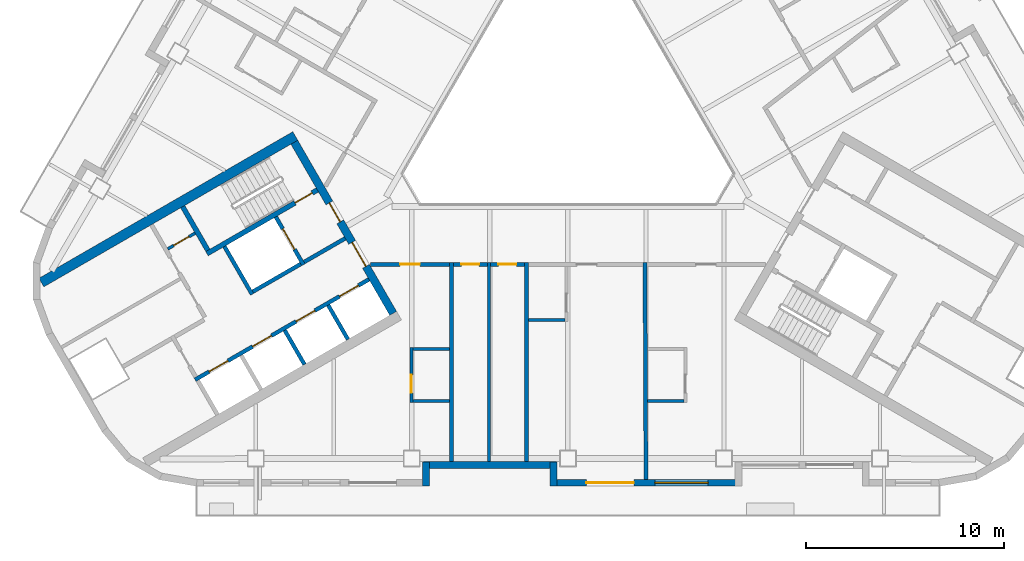
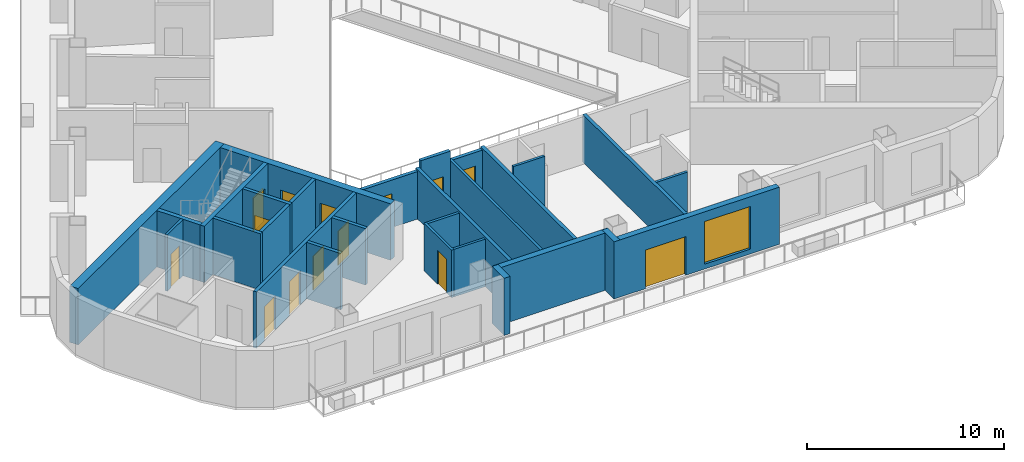
# One storey, part 3 of 14: 28 walls, 14 doors, 1 window, 15 openings.
"""IFC4 building model written with IfcOpenShell, lengths in metres."""

from ifc_helpers import new_model, si_unit, direction, frame, frame_2d, origin, place, context, subcontext, project, spatial, rectangle, extrude, material, layer, layer_set, type_object, element, fill, save


model = new_model("IFC4")

# Units and contexts
model_context = context("Model", 3, precision=1e-05, world=origin(), true_north=direction((0.0, 1.0)))
body_context = subcontext(model_context, "Body", "Model", "MODEL_VIEW")
ifc_project = project(units=[si_unit("LENGTHUNIT", "METRE"), si_unit("AREAUNIT", "SQUARE_METRE"), si_unit("VOLUMEUNIT", "CUBIC_METRE"), si_unit("PLANEANGLEUNIT", "RADIAN"), si_unit("MASSUNIT", "GRAM", prefix="KILO")], contexts=[model_context])

# Site, building, storey
site_placement = place(None, origin())
site = spatial("IfcSite", under=ifc_project, at=site_placement, CompositionType="ELEMENT")
building_placement = place(site_placement, origin())
building = spatial("IfcBuilding", under=site, at=building_placement, Name="Apuvela Tower Hotel", CompositionType="ELEMENT")
storey_placement = place(building_placement, frame((0.0, 0.0, 179.89990234375)))
storey = spatial("IfcBuildingStorey", under=building, at=storey_placement, Name="L43", CompositionType="ELEMENT", Elevation=179.89990234375)

# Wall, openings, doors
ifc_material_1 = material(Name="Concrete C50/60", Category="concrete")
ifc_layer_1 = layer(ifc_material_1, 0.39990234375)
ifc_layer_set_1 = layer_set([ifc_layer_1], Name="COR-WALL-CORE-400")
wall_type_1 = type_object("IfcWallType", Name="COR-WALL-CORE-400", PredefinedType="SHEAR", material=ifc_layer_set_1)
wall_1_placement = place(storey_placement, frame((-13.844970703125, -2.219970703125, 0.0), z_axis=(0.0, 0.0, 1.0), x_axis=(0.500004234368, -0.866022959057, 0.0)))
wall_1 = element("IfcWall", 1, at=wall_1_placement, inside=storey, type_object=wall_type_1, Name="Core wall SW", PredefinedType="SHEAR", context=body_context, shape_type="SweptSolid", body=[
    extrude(rectangle(XDim=10.0, YDim=0.39990234375, at=frame_2d((5.0, 0.0))), origin(), (0.0, 0.0, 1.0), 3.5),
])
opening_1_placement = place(wall_1_placement, frame((3.550048828125, 0.0, 0.0)))
opening_1 = element("IfcOpeningElement", 2, at=opening_1_placement, cuts=wall_1, Name="Opening W-FD", PredefinedType="OPENING", context=body_context, shape_type="SweptSolid", body=[
    extrude(rectangle(XDim=1.10009765625, YDim=2.10009765625, at=frame_2d((0.550048828125, 1.050048828125))), frame((0.0, 0.2099609375, 0.0), z_axis=(0.0, -1.0, 0.0), x_axis=(1.0, 0.0, 0.0)), (0.0, 0.0, 1.0), 0.419921875),
])
opening_2_placement = place(wall_1_placement, frame((5.85009765625, 0.0, 0.0)))
opening_2 = element("IfcOpeningElement", 3, at=opening_2_placement, cuts=wall_1, Name="Opening W-GD", PredefinedType="OPENING", context=body_context, shape_type="SweptSolid", body=[
    extrude(rectangle(XDim=1.39990234375, YDim=2.10009765625, at=frame_2d((0.699951171875, 1.050048828125))), frame((0.0, 0.2099609375, 0.0), z_axis=(0.0, -1.0, 0.0), x_axis=(1.0, 0.0, 0.0)), (0.0, 0.0, 1.0), 0.419921875),
])
ifc_material_2 = material(Name="Steel fire door, powder coated", Category="steel")
door_type_1 = type_object("IfcDoorType", Name="COR-FD-1100", OperationType="NOTDEFINED", PredefinedType="DOOR", material=ifc_material_2)
door_1_placement = place(opening_1_placement, frame((1.10009765625, 0.0, 0.0), z_axis=(0.0, 0.0, 1.0), x_axis=(-1.0, 0.0, 0.0)))
door_1 = element("IfcDoor", 4, at=door_1_placement, inside=storey, type_object=door_type_1, Name="Firefighting lobby door W-FD", OperationType="SINGLE_SWING_LEFT", OverallHeight=2.10009765625, OverallWidth=1.10009765625, PredefinedType="DOOR", context=body_context, shape_type="SweptSolid", body=[
    extrude(rectangle(XDim=1.10009765625, YDim=2.10009765625, at=frame_2d((0.550048828125, 1.050048828125))), frame((0.0, 0.02490234375, 0.0), z_axis=(0.0, -1.0, 0.0), x_axis=(1.0, 0.0, 0.0)), (0.0, 0.0, 1.0), 0.050048828125),
])
fill(opening_1, door_1)
ifc_material_3 = material(Name="Glazed steel fire door", Category="steel")
door_type_2 = type_object("IfcDoorType", Name="COR-GD-1400", OperationType="DOUBLE_DOOR_SINGLE_SWING", PredefinedType="DOOR", material=ifc_material_3)
door_2_placement = place(opening_2_placement, frame((1.39990234375, 0.0, 0.0), z_axis=(0.0, 0.0, 1.0), x_axis=(-1.0, 0.0, 0.0)))
door_2 = element("IfcDoor", 5, at=door_2_placement, inside=storey, type_object=door_type_2, Name="Lift lobby door W-GD", OperationType="DOUBLE_DOOR_SINGLE_SWING", OverallHeight=2.10009765625, OverallWidth=1.39990234375, PredefinedType="DOOR", context=body_context, shape_type="SweptSolid", body=[
    extrude(rectangle(XDim=1.39990234375, YDim=2.10009765625, at=frame_2d((0.699951171875, 1.050048828125))), frame((0.0, 0.02490234375, 0.0), z_axis=(0.0, -1.0, 0.0), x_axis=(1.0, 0.0, 0.0)), (0.0, 0.0, 1.0), 0.050048828125),
])
fill(opening_2, door_2)

# Wall
ifc_layer_2 = layer(ifc_material_1, 0.5)
ifc_layer_set_2 = layer_set([ifc_layer_2], Name="COR-WALL-CORE-500")
wall_type_2 = type_object("IfcWallType", Name="COR-WALL-CORE-500", PredefinedType="SHEAR", material=ifc_layer_set_2)
wall_2_placement = place(storey_placement, frame((-13.796630859375, -1.9033203125, 0.0), z_axis=(0.0, 0.0, 1.0), x_axis=(-0.866025009528, -0.500000682871, 0.0)))
element("IfcWall", 6, at=wall_2_placement, inside=storey, type_object=wall_type_2, Name="Core wall SW", PredefinedType="SHEAR", context=body_context, shape_type="SweptSolid", body=[
    extrude(rectangle(XDim=14.8369140625, YDim=0.5, at=frame_2d((7.41845703125, 0.0))), origin(), (0.0, 0.0, 1.0), 3.5),
])

# Wall, opening, door
ifc_material_4 = material(Name="Blockwork 150 mm plastered", Category="masonry")
ifc_layer_3 = layer(ifc_material_4, 0.14990234375)
ifc_layer_set_3 = layer_set([ifc_layer_3], Name="COR-WALL-PART-150")
wall_type_3 = type_object("IfcWallType", Name="COR-WALL-PART-150", PredefinedType="PARTITIONING", material=ifc_layer_set_3)
wall_3_placement = place(storey_placement, frame((-18.866455078125, -6.822265625, 0.0), z_axis=(0.0, 0.0, 1.0), x_axis=(-0.866028054938, -0.499995408039, 0.0)))
wall_3 = element("IfcWall", 7, at=wall_3_placement, inside=storey, type_object=wall_type_3, Name="Partition SW", PredefinedType="PARTITIONING", context=body_context, shape_type="SweptSolid", body=[
    extrude(rectangle(XDim=1.60009765625, YDim=0.14990234375, at=frame_2d((0.800048828125, 0.0))), origin(), (0.0, 0.0, 1.0), 3.5),
])
opening_3_placement = place(wall_3_placement, frame((0.35009765625, 0.0, 0.0)))
opening_3 = element("IfcOpeningElement", 8, at=opening_3_placement, cuts=wall_3, Name="Opening W-RD", PredefinedType="OPENING", context=body_context, shape_type="SweptSolid", body=[
    extrude(rectangle(XDim=0.89990234375, YDim=2.10009765625, at=frame_2d((0.449951171875, 1.050048828125))), frame((0.0, 0.0849609375, 0.0), z_axis=(0.0, -1.0, 0.0), x_axis=(1.0, 0.0, 0.0)), (0.0, 0.0, 1.0), 0.169921875),
])
ifc_material_5 = material(Name="Steel access door, powder coated", Category="steel")
door_type_3 = type_object("IfcDoorType", Name="COR-RD-900", OperationType="NOTDEFINED", PredefinedType="DOOR", material=ifc_material_5)
door_3_placement = place(opening_3_placement, frame((0.89990234375, 0.0, 0.0), z_axis=(0.0, 0.0, 1.0), x_axis=(-1.0, 0.0, 0.0)))
door_3 = element("IfcDoor", 9, at=door_3_placement, inside=storey, type_object=door_type_3, Name="Riser door W-RD", OperationType="SINGLE_SWING_RIGHT", OverallHeight=2.10009765625, OverallWidth=0.89990234375, PredefinedType="DOOR", context=body_context, shape_type="SweptSolid", body=[
    extrude(rectangle(XDim=0.89990234375, YDim=2.10009765625, at=frame_2d((0.449951171875, 1.050048828125))), frame((0.0, 0.02490234375, 0.0), z_axis=(0.0, -1.0, 0.0), x_axis=(1.0, 0.0, 0.0)), (0.0, 0.0, 1.0), 0.050048828125),
])
fill(opening_3, door_3)

# Wall
ifc_layer_4 = layer(ifc_material_1, 0.199951171875)
ifc_layer_set_4 = layer_set([ifc_layer_4], Name="COR-WALL-SHAFT-200")
wall_type_4 = type_object("IfcWallType", Name="COR-WALL-SHAFT-200", PredefinedType="SHEAR", material=ifc_layer_set_4)
wall_4_placement = place(storey_placement, frame((-17.38134765625, -7.49462890625, 0.0), z_axis=(0.0, 0.0, 1.0), x_axis=(0.500011755427, -0.866018616679, 0.0)))
element("IfcWall", 10, at=wall_4_placement, inside=storey, type_object=wall_type_4, Name="Shaft wall SW", PredefinedType="SHEAR", context=body_context, shape_type="SweptSolid", body=[
    extrude(rectangle(XDim=2.80029296875, YDim=0.199951171875, at=frame_2d((1.400146484375, 0.0))), origin(), (0.0, 0.0, 1.0), 3.5),
])

# Wall, opening, door
wall_5_placement = place(storey_placement, frame((-14.783203125, -5.99462890625, 0.0), z_axis=(0.0, 0.0, 1.0), x_axis=(0.49994636267, -0.866056369097, 0.0)))
wall_5 = element("IfcWall", 11, at=wall_5_placement, inside=storey, type_object=wall_type_4, Name="Shaft wall SW", PredefinedType="SHEAR", context=body_context, shape_type="SweptSolid", body=[
    extrude(rectangle(XDim=2.800048828125, YDim=0.199951171875, at=frame_2d((1.39990234375, 0.0))), origin(), (0.0, 0.0, 1.0), 3.5),
])
opening_4_placement = place(wall_5_placement, frame((0.699951171875, 0.0, 0.0)))
opening_4 = element("IfcOpeningElement", 12, at=opening_4_placement, cuts=wall_5, Name="Opening W-LD-FS2", PredefinedType="OPENING", context=body_context, shape_type="SweptSolid", body=[
    extrude(rectangle(XDim=1.199951171875, YDim=2.10009765625, at=frame_2d((0.60009765625, 1.050048828125))), frame((0.0, 0.10986328125, 0.0), z_axis=(0.0, -1.0, 0.0), x_axis=(1.0, 0.0, 0.0)), (0.0, 0.0, 1.0), 0.219970703125),
])
ifc_material_6 = material(Name="Stainless steel lift landing door", Category="steel")
door_type_4 = type_object("IfcDoorType", Name="COR-LD-1200", OperationType="DOUBLE_DOOR_SLIDING", PredefinedType="DOOR", material=ifc_material_6)
door_4_placement = place(opening_4_placement, origin())
door_4 = element("IfcDoor", 13, at=door_4_placement, inside=storey, type_object=door_type_4, Name="Lift landing door W-LD-FS2", OperationType="DOUBLE_DOOR_SLIDING", OverallHeight=2.10009765625, OverallWidth=1.199951171875, PredefinedType="DOOR", context=body_context, shape_type="SweptSolid", body=[
    extrude(rectangle(XDim=1.199951171875, YDim=2.10009765625, at=frame_2d((0.60009765625, 1.050048828125))), frame((0.0, 0.02490234375, 0.0), z_axis=(0.0, -1.0, 0.0), x_axis=(1.0, 0.0, 0.0)), (0.0, 0.0, 1.0), 0.050048828125),
])
fill(opening_4, door_4)

# Walls
wall_6_placement = place(storey_placement, frame((-13.519775390625, -8.383056640625, 0.0), z_axis=(0.0, 0.0, 1.0), x_axis=(-0.866034573852, -0.49998411664, 0.0)))
element("IfcWall", 14, at=wall_6_placement, inside=storey, type_object=wall_type_4, Name="Shaft wall SW", PredefinedType="SHEAR", context=body_context, shape_type="SweptSolid", body=[
    extrude(rectangle(XDim=2.7998046875, YDim=0.199951171875, at=frame_2d((1.39990234375, 0.0))), origin(), (0.0, 0.0, 1.0), 3.5),
])
wall_7_placement = place(storey_placement, frame((-11.26806640625, -7.0830078125, 0.0), z_axis=(0.0, 0.0, 1.0), x_axis=(-0.866050077142, -0.499957262057, 0.0)))
element("IfcWall", 15, at=wall_7_placement, inside=storey, type_object=wall_type_4, Name="Shaft wall SW", PredefinedType="SHEAR", context=body_context, shape_type="SweptSolid", body=[
    extrude(rectangle(XDim=2.400146484375, YDim=0.199951171875, at=frame_2d((1.2001953125, 0.0))), origin(), (0.0, 0.0, 1.0), 3.5),
])

# Wall, openings, doors
wall_8_placement = place(storey_placement, frame((-10.068115234375, -9.16162109375, 0.0), z_axis=(0.0, 0.0, 1.0), x_axis=(-0.866032725843, -0.499987317609, 0.0)))
wall_8 = element("IfcWall", 16, at=wall_8_placement, inside=storey, type_object=wall_type_4, Name="Shaft wall SW", PredefinedType="SHEAR", context=body_context, shape_type="SweptSolid", body=[
    extrude(rectangle(XDim=10.159912109375, YDim=0.199951171875, at=frame_2d((5.080078125, 0.0))), origin(), (0.0, 0.0, 1.0), 3.5),
])
opening_5_placement = place(wall_8_placement, frame((0.6201171875, 0.0, 0.0)))
opening_5 = element("IfcOpeningElement", 17, at=opening_5_placement, cuts=wall_8, Name="Opening W-LD-MR1", PredefinedType="OPENING", context=body_context, shape_type="SweptSolid", body=[
    extrude(rectangle(XDim=1.10009765625, YDim=2.10009765625, at=frame_2d((0.550048828125, 1.050048828125))), frame((0.0, 0.10986328125, 0.0), z_axis=(0.0, -1.0, 0.0), x_axis=(1.0, 0.0, 0.0)), (0.0, 0.0, 1.0), 0.219970703125),
])
opening_6_placement = place(wall_8_placement, frame((3.159912109375, 0.0, 0.0)))
opening_6 = element("IfcOpeningElement", 18, at=opening_6_placement, cuts=wall_8, Name="Opening W-LD-MR2", PredefinedType="OPENING", context=body_context, shape_type="SweptSolid", body=[
    extrude(rectangle(XDim=1.10009765625, YDim=2.10009765625, at=frame_2d((0.550048828125, 1.050048828125))), frame((0.0, 0.10986328125, 0.0), z_axis=(0.0, -1.0, 0.0), x_axis=(1.0, 0.0, 0.0)), (0.0, 0.0, 1.0), 0.219970703125),
])
opening_7_placement = place(wall_8_placement, frame((5.699951171875, 0.0, 0.0)))
opening_7 = element("IfcOpeningElement", 19, at=opening_7_placement, cuts=wall_8, Name="Opening W-LD-MR3", PredefinedType="OPENING", context=body_context, shape_type="SweptSolid", body=[
    extrude(rectangle(XDim=1.10009765625, YDim=2.10009765625, at=frame_2d((0.550048828125, 1.050048828125))), frame((0.0, 0.10986328125, 0.0), z_axis=(0.0, -1.0, 0.0), x_axis=(1.0, 0.0, 0.0)), (0.0, 0.0, 1.0), 0.219970703125),
])
opening_8_placement = place(wall_8_placement, frame((8.239990234375, 0.0, 0.0)))
opening_8 = element("IfcOpeningElement", 20, at=opening_8_placement, cuts=wall_8, Name="Opening W-LD-MR4", PredefinedType="OPENING", context=body_context, shape_type="SweptSolid", body=[
    extrude(rectangle(XDim=1.10009765625, YDim=2.10009765625, at=frame_2d((0.550048828125, 1.050048828125))), frame((0.0, 0.10986328125, 0.0), z_axis=(0.0, -1.0, 0.0), x_axis=(1.0, 0.0, 0.0)), (0.0, 0.0, 1.0), 0.219970703125),
])
door_type_5 = type_object("IfcDoorType", Name="COR-LD-1100", OperationType="DOUBLE_DOOR_SLIDING", PredefinedType="DOOR", material=ifc_material_6)
door_5_placement = place(opening_5_placement, origin())
door_5 = element("IfcDoor", 21, at=door_5_placement, inside=storey, type_object=door_type_5, Name="Lift landing door W-LD-MR1", OperationType="DOUBLE_DOOR_SLIDING", OverallHeight=2.10009765625, OverallWidth=1.10009765625, PredefinedType="DOOR", context=body_context, shape_type="SweptSolid", body=[
    extrude(rectangle(XDim=1.10009765625, YDim=2.10009765625, at=frame_2d((0.550048828125, 1.050048828125))), frame((0.0, 0.02490234375, 0.0), z_axis=(0.0, -1.0, 0.0), x_axis=(1.0, 0.0, 0.0)), (0.0, 0.0, 1.0), 0.050048828125),
])
fill(opening_5, door_5)
door_6_placement = place(opening_6_placement, origin())
door_6 = element("IfcDoor", 22, at=door_6_placement, inside=storey, type_object=door_type_5, Name="Lift landing door W-LD-MR2", OperationType="DOUBLE_DOOR_SLIDING", OverallHeight=2.10009765625, OverallWidth=1.10009765625, PredefinedType="DOOR", context=body_context, shape_type="SweptSolid", body=[
    extrude(rectangle(XDim=1.10009765625, YDim=2.10009765625, at=frame_2d((0.550048828125, 1.050048828125))), frame((0.0, 0.02490234375, 0.0), z_axis=(0.0, -1.0, 0.0), x_axis=(1.0, 0.0, 0.0)), (0.0, 0.0, 1.0), 0.050048828125),
])
fill(opening_6, door_6)
door_7_placement = place(opening_7_placement, origin())
door_7 = element("IfcDoor", 23, at=door_7_placement, inside=storey, type_object=door_type_5, Name="Lift landing door W-LD-MR3", OperationType="DOUBLE_DOOR_SLIDING", OverallHeight=2.10009765625, OverallWidth=1.10009765625, PredefinedType="DOOR", context=body_context, shape_type="SweptSolid", body=[
    extrude(rectangle(XDim=1.10009765625, YDim=2.10009765625, at=frame_2d((0.550048828125, 1.050048828125))), frame((0.0, 0.02490234375, 0.0), z_axis=(0.0, -1.0, 0.0), x_axis=(1.0, 0.0, 0.0)), (0.0, 0.0, 1.0), 0.050048828125),
])
fill(opening_7, door_7)
door_8_placement = place(opening_8_placement, origin())
door_8 = element("IfcDoor", 24, at=door_8_placement, inside=storey, type_object=door_type_5, Name="Lift landing door W-LD-MR4", OperationType="DOUBLE_DOOR_SLIDING", OverallHeight=2.10009765625, OverallWidth=1.10009765625, PredefinedType="DOOR", context=body_context, shape_type="SweptSolid", body=[
    extrude(rectangle(XDim=1.10009765625, YDim=2.10009765625, at=frame_2d((0.550048828125, 1.050048828125))), frame((0.0, 0.02490234375, 0.0), z_axis=(0.0, -1.0, 0.0), x_axis=(1.0, 0.0, 0.0)), (0.0, 0.0, 1.0), 0.050048828125),
])
fill(opening_8, door_8)

# Walls
for number, where, z_axis, x_axis, name in (
    (25, (-12.131103515625, -10.468017578125, 0.0), (0.0, 0.0, 1.0), (0.499972520799, -0.866041268327, 0.0), "Shaft wall SW"),
    (26, (-14.330810546875, -11.738037109375, 0.0), (0.0, 0.0, 1.0), (0.499972520799, -0.866041268327, 0.0), "Shaft wall SW"),
):
    element("IfcWall", number, at=place(storey_placement, frame(where, z_axis=z_axis, x_axis=x_axis)), inside=storey, type_object=wall_type_4, Name=name, PredefinedType="SHEAR", context=body_context, shape_type="SweptSolid", body=[
        extrude(rectangle(XDim=2.0, YDim=0.199951171875, at=frame_2d((1.0, 0.0))), origin(), (0.0, 0.0, 1.0), 3.5),
    ])

# Wall, opening, door
ifc_layer_5 = layer(ifc_material_1, 0.25)
ifc_layer_set_5 = layer_set([ifc_layer_5], Name="COR-WALL-STAIR-250")
wall_type_5 = type_object("IfcWallType", Name="COR-WALL-STAIR-250", PredefinedType="SHEAR", material=ifc_layer_set_5)
wall_9_placement = place(storey_placement, frame((-12.6806640625, -4.636474609375, 0.0), z_axis=(0.0, 0.0, 1.0), x_axis=(-0.866021702275, -0.500006411147, 0.0)))
wall_9 = element("IfcWall", 27, at=wall_9_placement, inside=storey, type_object=wall_type_5, Name="Stair wall SW", PredefinedType="SHEAR", context=body_context, shape_type="SweptSolid", body=[
    extrude(rectangle(XDim=6.4501953125, YDim=0.25, at=frame_2d((3.22509765625, 0.0))), origin(), (0.0, 0.0, 1.0), 3.5),
])
opening_9_placement = place(wall_9_placement, frame((0.300048828125, 0.0, 0.0)))
opening_9 = element("IfcOpeningElement", 28, at=opening_9_placement, cuts=wall_9, Name="Opening W-SD", PredefinedType="OPENING", context=body_context, shape_type="SweptSolid", body=[
    extrude(rectangle(XDim=1.0, YDim=2.10009765625, at=frame_2d((0.5, 1.050048828125))), frame((0.0, 0.135009765625, 0.0), z_axis=(0.0, -1.0, 0.0), x_axis=(1.0, 0.0, 0.0)), (0.0, 0.0, 1.0), 0.27001953125),
])
door_type_6 = type_object("IfcDoorType", Name="COR-SD-1000", OperationType="NOTDEFINED", PredefinedType="DOOR", material=ifc_material_2)
door_9_placement = place(opening_9_placement, frame((1.0, 0.0, 0.0), z_axis=(0.0, 0.0, 1.0), x_axis=(-1.0, 0.0, 0.0)))
door_9 = element("IfcDoor", 29, at=door_9_placement, inside=storey, type_object=door_type_6, Name="Stair door W-SD", OperationType="SINGLE_SWING_LEFT", OverallHeight=2.10009765625, OverallWidth=1.0, PredefinedType="DOOR", context=body_context, shape_type="SweptSolid", body=[
    extrude(rectangle(XDim=1.0, YDim=2.10009765625, at=frame_2d((0.5, 1.050048828125))), frame((0.0, 0.02490234375, 0.0), z_axis=(0.0, -1.0, 0.0), x_axis=(1.0, 0.0, 0.0)), (0.0, 0.0, 1.0), 0.050048828125),
])
fill(opening_9, door_9)

# Walls
wall_10_placement = place(storey_placement, frame((-19.49560546875, -5.482421875, 0.0), z_axis=(0.0, 0.0, 1.0), x_axis=(0.499990435942, -0.866030925526, 0.0)))
element("IfcWall", 30, at=wall_10_placement, inside=storey, type_object=wall_type_5, Name="Stair wall SW", PredefinedType="SHEAR", context=body_context, shape_type="SweptSolid", body=[
    extrude(rectangle(XDim=2.5498046875, YDim=0.25, at=frame_2d((1.27490234375, 0.0))), origin(), (0.0, 0.0, 1.0), 3.5),
])
ifc_material_7 = material(Name="Concrete C40/50, dark pigmented precast panel", Category="concrete")
ifc_layer_6 = layer(ifc_material_7, 0.35009765625)
ifc_layer_set_6 = layer_set([ifc_layer_6], Name="ENV-WALL-350")
wall_type_6 = type_object("IfcWallType", Name="ENV-WALL-350", PredefinedType="SOLIDWALL", material=ifc_layer_set_6)
wall_11_placement = place(storey_placement, frame((-7.175048828125, -19.6298828125, 0.0), z_axis=(0.0, 0.0, 1.0), x_axis=(0.0, 1.0, 0.0)))
element("IfcWall", 31, at=wall_11_placement, inside=storey, type_object=wall_type_6, Name="External wall L43-18", PredefinedType="SOLIDWALL", context=body_context, shape_type="SweptSolid", body=[
    extrude(rectangle(XDim=1.219970703125, YDim=0.35009765625, at=frame_2d((0.60986328125, 0.0))), origin(), (0.0, 0.0, 1.0), 3.550048828125),
])
wall_12_placement = place(storey_placement, frame((-7.320068359375, -18.554931640625, 0.0), z_axis=(0.0, 0.0, 1.0), x_axis=(1.0, 0.0, 0.0)))
element("IfcWall", 32, at=wall_12_placement, inside=storey, type_object=wall_type_6, Name="External wall L43-19", PredefinedType="SOLIDWALL", context=body_context, shape_type="SweptSolid", body=[
    extrude(rectangle(XDim=6.739990234375, YDim=0.35009765625, at=frame_2d((3.3701171875, 0.0))), origin(), (0.0, 0.0, 1.0), 3.550048828125),
])
wall_13_placement = place(storey_placement, frame((-0.72509765625, -18.409912109375, 0.0), z_axis=(0.0, 0.0, 1.0), x_axis=(0.0, -1.0, 0.0)))
element("IfcWall", 33, at=wall_13_placement, inside=storey, type_object=wall_type_6, Name="External wall L43-20", PredefinedType="SOLIDWALL", context=body_context, shape_type="SweptSolid", body=[
    extrude(rectangle(XDim=1.219970703125, YDim=0.35009765625, at=frame_2d((0.60986328125, 0.0))), origin(), (0.0, 0.0, 1.0), 3.550048828125),
])

# Wall, openings, door, window
wall_14_placement = place(storey_placement, frame((-0.89990234375, -19.455078125, 0.0), z_axis=(0.0, 0.0, 1.0), x_axis=(1.0, 0.0, 0.0)))
wall_14 = element("IfcWall", 34, at=wall_14_placement, inside=storey, type_object=wall_type_6, Name="External wall L43-21", PredefinedType="SOLIDWALL", context=body_context, shape_type="SweptSolid", body=[
    extrude(rectangle(XDim=9.699951171875, YDim=0.35009765625, at=frame_2d((4.85009765625, 0.0))), origin(), (0.0, 0.0, 1.0), 3.550048828125),
])
opening_10_placement = place(wall_14_placement, frame((1.837158203125, 0.0, 0.0)))
opening_10 = element("IfcOpeningElement", 35, at=opening_10_placement, cuts=wall_14, Name="Opening BD24", PredefinedType="OPENING", context=body_context, shape_type="SweptSolid", body=[
    extrude(rectangle(XDim=2.39990234375, YDim=2.39990234375, at=frame_2d((1.199951171875, 1.199951171875))), frame((0.0, 0.18505859375, 0.0), z_axis=(0.0, -1.0, 0.0), x_axis=(1.0, 0.0, 0.0)), (0.0, 0.0, 1.0), 0.3701171875),
])
opening_11_placement = place(wall_14_placement, frame((5.2998046875, 0.0, 0.300048828125)))
opening_11 = element("IfcOpeningElement", 36, at=opening_11_placement, cuts=wall_14, Name="Opening WN27", PredefinedType="OPENING", context=body_context, shape_type="SweptSolid", body=[
    extrude(rectangle(XDim=2.699951171875, YDim=2.64990234375, at=frame_2d((1.35009765625, 1.324951171875))), frame((0.0, 0.18505859375, 0.0), z_axis=(0.0, -1.0, 0.0), x_axis=(1.0, 0.0, 0.0)), (0.0, 0.0, 1.0), 0.3701171875),
])
ifc_material_8 = material(Name="Aluminium 6063-T6, dark bronze anodised frame with dark tinted laminated glass", Category="aluminium")
door_type_7 = type_object("IfcDoorType", Name="ENV-DOOR-BALCONY-2400x2400", OperationType="SLIDING_TO_LEFT", PredefinedType="DOOR", material=ifc_material_8)
door_10_placement = place(opening_10_placement, frame((2.39990234375, 0.0, 0.0), z_axis=(0.0, 0.0, 1.0), x_axis=(-1.0, 0.0, 0.0)))
door_10 = element("IfcDoor", 37, at=door_10_placement, inside=storey, type_object=door_type_7, Name="Balcony door BD24", OperationType="SLIDING_TO_LEFT", OverallHeight=2.39990234375, OverallWidth=2.39990234375, PredefinedType="DOOR", context=body_context, shape_type="SweptSolid", body=[
    extrude(rectangle(XDim=2.39990234375, YDim=2.39990234375, at=frame_2d((1.199951171875, 1.199951171875))), frame((0.0, 0.02490234375, 0.0), z_axis=(0.0, -1.0, 0.0), x_axis=(1.0, 0.0, 0.0)), (0.0, 0.0, 1.0), 0.050048828125),
])
fill(opening_10, door_10)
ifc_material_9 = material(Name="Glass, dark tinted laminated insulated glazing unit", Category="glass")
window_type = type_object("IfcWindowType", Name="ENV-WIN-2700x2650", PartitioningType="SINGLE_PANEL", PredefinedType="WINDOW", material=ifc_material_9)
window_placement = place(opening_11_placement, origin())
window = element("IfcWindow", 38, at=window_placement, inside=storey, type_object=window_type, Name="Window WN27", OverallHeight=2.64990234375, OverallWidth=2.699951171875, PartitioningType="SINGLE_PANEL", PredefinedType="WINDOW", context=body_context, shape_type="SweptSolid", body=[
    extrude(rectangle(XDim=2.699951171875, YDim=2.64990234375, at=frame_2d((1.35009765625, 1.324951171875))), frame((0.0, 0.030029296875, 0.0), z_axis=(0.0, -1.0, 0.0), x_axis=(1.0, 0.0, 0.0)), (0.0, 0.0, 1.0), 0.06005859375),
])
fill(opening_11, window)

# Walls
ifc_material_10 = material(Name="Gypsum board partition on twin steel stud", Category="steel")
ifc_layer_7 = layer(ifc_material_10, 0.199951171875)
ifc_layer_set_7 = layer_set([ifc_layer_7], Name="GST-PW1")
wall_type_7 = type_object("IfcWallType", Name="GST-PW1", PredefinedType="PARTITIONING", material=ifc_layer_set_7)
for number, where, z_axis, x_axis, name in (
    (39, (-5.89990234375, -18.3798828125, 0.0), (0.0, 0.0, 1.0), (0.0, 1.0, 0.0), "L43 partition 01"),
    (40, (-2.10009765625, -18.3798828125, 0.0), (0.0, 0.0, 1.0), (0.0, 1.0, 0.0), "L43 partition 02"),
):
    element("IfcWall", number, at=place(storey_placement, frame(where, z_axis=z_axis, x_axis=x_axis)), inside=storey, type_object=wall_type_7, Name=name, PredefinedType="PARTITIONING", context=body_context, shape_type="SweptSolid", body=[
        extrude(rectangle(XDim=10.079833984375, YDim=0.199951171875, at=frame_2d((5.0400390625, 0.0))), origin(), (0.0, 0.0, 1.0), 3.06005859375),
    ])
wall_15_placement = place(storey_placement, frame((3.949951171875, -19.280029296875, 0.0), z_axis=(0.0, 0.0, 1.0), x_axis=(-0.004624844922, 0.999989305348, 0.0)))
element("IfcWall", 41, at=wall_15_placement, inside=storey, type_object=wall_type_7, Name="L43 partition 03", PredefinedType="PARTITIONING", context=body_context, shape_type="SweptSolid", body=[
    extrude(rectangle(XDim=10.97998046875, YDim=0.199951171875, at=frame_2d((5.489990234375, 0.0))), origin(), (0.0, 0.0, 1.0), 2.9501953125),
])

# Wall, opening, door
ifc_material_11 = material(Name="Gypsum board corridor wall on twin steel stud, acoustic", Category="steel")
ifc_layer_8 = layer(ifc_material_11, 0.199951171875)
ifc_layer_set_8 = layer_set([ifc_layer_8], Name="GST-PW2")
wall_type_8 = type_object("IfcWallType", Name="GST-PW2", PredefinedType="PARTITIONING", material=ifc_layer_set_8)
wall_16_placement = place(storey_placement, frame((-6.0, -8.39990234375, 0.0), z_axis=(0.0, 0.0, 1.0), x_axis=(-1.0, 0.0, 0.0)))
wall_16 = element("IfcWall", 42, at=wall_16_placement, inside=storey, type_object=wall_type_8, Name="L43 partition 10", PredefinedType="PARTITIONING", context=body_context, shape_type="SweptSolid", body=[
    extrude(rectangle(XDim=3.98828125, YDim=0.199951171875, at=frame_2d((1.994140625, 0.0))), origin(), (0.0, 0.0, 1.0), 2.9501953125),
])
opening_12_placement = place(wall_16_placement, frame((1.494140625, 0.0, 0.0)))
opening_12 = element("IfcOpeningElement", 43, at=opening_12_placement, cuts=wall_16, Name="Opening GD16-02", PredefinedType="OPENING", context=body_context, shape_type="SweptSolid", body=[
    extrude(rectangle(XDim=1.0, YDim=2.10009765625, at=frame_2d((0.5, 1.050048828125))), frame((0.0, 0.10986328125, 0.0), z_axis=(0.0, -1.0, 0.0), x_axis=(1.0, 0.0, 0.0)), (0.0, 0.0, 1.0), 0.219970703125),
])
ifc_material_12 = material(Name="Timber door leaf in steel frame", Category="steel")
door_type_8 = type_object("IfcDoorType", Name="GST-D1", OperationType="NOTDEFINED", PredefinedType="DOOR", material=ifc_material_12)
door_11_placement = place(opening_12_placement, origin())
door_11 = element("IfcDoor", 44, at=door_11_placement, inside=storey, type_object=door_type_8, Name="Door L43-02", OperationType="SINGLE_SWING_LEFT", OverallHeight=2.10009765625, OverallWidth=1.0, PredefinedType="DOOR", context=body_context, shape_type="SweptSolid", body=[
    extrude(rectangle(XDim=1.0, YDim=2.10009765625, at=frame_2d((0.5, 1.050048828125))), frame((0.0, 0.02490234375, 0.0), z_axis=(0.0, -1.0, 0.0), x_axis=(1.0, 0.0, 0.0)), (0.0, 0.0, 1.0), 0.050048828125),
])
fill(opening_12, door_11)

wall_17_placement = place(storey_placement, frame((-4.074951171875, -8.39990234375, 0.0), z_axis=(0.0, 0.0, 1.0), x_axis=(-1.0, 0.0, 0.0)))
wall_17 = element("IfcWall", 45, at=wall_17_placement, inside=storey, type_object=wall_type_8, Name="L43 partition 15", PredefinedType="PARTITIONING", context=body_context, shape_type="SweptSolid", body=[
    extrude(rectangle(XDim=1.72509765625, YDim=0.199951171875, at=frame_2d((0.862548828125, 0.0))), origin(), (0.0, 0.0, 1.0), 3.550048828125),
])
opening_13_placement = place(wall_17_placement, frame((0.41259765625, 0.0, 0.0)))
opening_13 = element("IfcOpeningElement", 46, at=opening_13_placement, cuts=wall_17, Name="Opening GD16-03", PredefinedType="OPENING", context=body_context, shape_type="SweptSolid", body=[
    extrude(rectangle(XDim=0.89990234375, YDim=2.10009765625, at=frame_2d((0.449951171875, 1.050048828125))), frame((0.0, 0.10986328125, 0.0), z_axis=(0.0, -1.0, 0.0), x_axis=(1.0, 0.0, 0.0)), (0.0, 0.0, 1.0), 0.219970703125),
])
door_type_9 = type_object("IfcDoorType", Name="GST-D2", OperationType="NOTDEFINED", PredefinedType="DOOR", material=ifc_material_12)
door_12_placement = place(opening_13_placement, origin())
door_12 = element("IfcDoor", 47, at=door_12_placement, inside=storey, type_object=door_type_9, Name="Door L43-03", OperationType="SINGLE_SWING_LEFT", OverallHeight=2.10009765625, OverallWidth=0.89990234375, PredefinedType="DOOR", context=body_context, shape_type="SweptSolid", body=[
    extrude(rectangle(XDim=0.89990234375, YDim=2.10009765625, at=frame_2d((0.449951171875, 1.050048828125))), frame((0.0, 0.02490234375, 0.0), z_axis=(0.0, -1.0, 0.0), x_axis=(1.0, 0.0, 0.0)), (0.0, 0.0, 1.0), 0.050048828125),
])
fill(opening_13, door_12)

wall_18_placement = place(storey_placement, frame((-2.199951171875, -8.39990234375, 0.0), z_axis=(0.0, 0.0, 1.0), x_axis=(-1.0, 0.0, 0.0)))
wall_18 = element("IfcWall", 48, at=wall_18_placement, inside=storey, type_object=wall_type_8, Name="L43 partition 16", PredefinedType="PARTITIONING", context=body_context, shape_type="SweptSolid", body=[
    extrude(rectangle(XDim=1.72509765625, YDim=0.199951171875, at=frame_2d((0.862548828125, 0.0))), origin(), (0.0, 0.0, 1.0), 2.9501953125),
])
opening_14_placement = place(wall_18_placement, frame((0.41259765625, 0.0, 0.0)))
opening_14 = element("IfcOpeningElement", 49, at=opening_14_placement, cuts=wall_18, Name="Opening GD16-04", PredefinedType="OPENING", context=body_context, shape_type="SweptSolid", body=[
    extrude(rectangle(XDim=0.89990234375, YDim=2.10009765625, at=frame_2d((0.449951171875, 1.050048828125))), frame((0.0, 0.10986328125, 0.0), z_axis=(0.0, -1.0, 0.0), x_axis=(1.0, 0.0, 0.0)), (0.0, 0.0, 1.0), 0.219970703125),
])
door_13_placement = place(opening_14_placement, origin())
door_13 = element("IfcDoor", 50, at=door_13_placement, inside=storey, type_object=door_type_9, Name="Door L43-04", OperationType="SINGLE_SWING_RIGHT", OverallHeight=2.10009765625, OverallWidth=0.89990234375, PredefinedType="DOOR", context=body_context, shape_type="SweptSolid", body=[
    extrude(rectangle(XDim=0.89990234375, YDim=2.10009765625, at=frame_2d((0.449951171875, 1.050048828125))), frame((0.0, 0.02490234375, 0.0), z_axis=(0.0, -1.0, 0.0), x_axis=(1.0, 0.0, 0.0)), (0.0, 0.0, 1.0), 0.050048828125),
])
fill(opening_14, door_13)

ifc_material_13 = material(Name="Moisture-resistant gypsum board wet wall on steel stud", Category="steel")
ifc_layer_9 = layer(ifc_material_13, 0.14990234375)
ifc_layer_set_9 = layer_set([ifc_layer_9], Name="GST-PW3")
wall_type_9 = type_object("IfcWallType", Name="GST-PW3", PredefinedType="PARTITIONING", material=ifc_layer_set_9)
wall_19_placement = place(storey_placement, frame((-7.925048828125, -12.60009765625, 0.0), z_axis=(0.0, 0.0, 1.0), x_axis=(0.0, -1.0, 0.0)))
wall_19 = element("IfcWall", 51, at=wall_19_placement, inside=storey, type_object=wall_type_9, Name="L43 partition 11", PredefinedType="PARTITIONING", context=body_context, shape_type="SweptSolid", body=[
    extrude(rectangle(XDim=2.7998046875, YDim=0.14990234375, at=frame_2d((1.39990234375, 0.0))), origin(), (0.0, 0.0, 1.0), 2.9501953125),
])
opening_15_placement = place(wall_19_placement, frame((1.39990234375, 0.0, 0.0)))
opening_15 = element("IfcOpeningElement", 52, at=opening_15_placement, cuts=wall_19, Name="Opening GD16-01", PredefinedType="OPENING", context=body_context, shape_type="SweptSolid", body=[
    extrude(rectangle(XDim=0.89990234375, YDim=2.10009765625, at=frame_2d((0.449951171875, 1.050048828125))), frame((0.0, 0.0849609375, 0.0), z_axis=(0.0, -1.0, 0.0), x_axis=(1.0, 0.0, 0.0)), (0.0, 0.0, 1.0), 0.169921875),
])
door_14_placement = place(opening_15_placement, origin())
door_14 = element("IfcDoor", 53, at=door_14_placement, inside=storey, type_object=door_type_9, Name="Door L43-01", OperationType="SINGLE_SWING_RIGHT", OverallHeight=2.10009765625, OverallWidth=0.89990234375, PredefinedType="DOOR", context=body_context, shape_type="SweptSolid", body=[
    extrude(rectangle(XDim=0.89990234375, YDim=2.10009765625, at=frame_2d((0.449951171875, 1.050048828125))), frame((0.0, 0.02490234375, 0.0), z_axis=(0.0, -1.0, 0.0), x_axis=(1.0, 0.0, 0.0)), (0.0, 0.0, 1.0), 0.050048828125),
])
fill(opening_15, door_14)

# Walls
for number, where, z_axis, x_axis, name in (
    (54, (-7.85009765625, -15.324951171875, 0.0), (0.0, 0.0, 1.0), (1.0, 0.0, 0.0), "L43 partition 12"),
    (55, (-7.85009765625, -12.675048828125, 0.0), (0.0, 0.0, 1.0), (1.0, 0.0, 0.0), "L43 partition 13"),
):
    element("IfcWall", number, at=place(storey_placement, frame(where, z_axis=z_axis, x_axis=x_axis)), inside=storey, type_object=wall_type_9, Name=name, PredefinedType="PARTITIONING", context=body_context, shape_type="SweptSolid", body=[
        extrude(rectangle(XDim=1.85009765625, YDim=0.14990234375, at=frame_2d((0.925048828125, 0.0))), origin(), (0.0, 0.0, 1.0), 2.9501953125),
    ])
wall_20_placement = place(storey_placement, frame((-4.0, -18.3798828125, 0.0), z_axis=(0.0, 0.0, 1.0), x_axis=(0.0, 1.0, 0.0)))
element("IfcWall", 56, at=wall_20_placement, inside=storey, type_object=wall_type_9, Name="L43 partition 14", PredefinedType="PARTITIONING", context=body_context, shape_type="SweptSolid", body=[
    extrude(rectangle(XDim=10.079833984375, YDim=0.14990234375, at=frame_2d((5.0400390625, 0.0))), origin(), (0.0, 0.0, 1.0), 2.9501953125),
])
wall_21_placement = place(storey_placement, frame((-2.0, -11.22509765625, 0.0), z_axis=(0.0, 0.0, 1.0), x_axis=(1.0, 0.0, 0.0)))
element("IfcWall", 57, at=wall_21_placement, inside=storey, type_object=wall_type_9, Name="L43 partition 19", PredefinedType="PARTITIONING", context=body_context, shape_type="SweptSolid", body=[
    extrude(rectangle(XDim=1.85009765625, YDim=0.14990234375, at=frame_2d((0.925048828125, 0.0))), origin(), (0.0, 0.0, 1.0), 3.550048828125),
])
wall_22_placement = place(storey_placement, frame((4.03173828125, -15.324951171875, 0.0), z_axis=(0.0, 0.0, 1.0), x_axis=(1.0, 0.0, 0.0)))
element("IfcWall", 58, at=wall_22_placement, inside=storey, type_object=wall_type_9, Name="L43 partition 22", PredefinedType="PARTITIONING", context=body_context, shape_type="SweptSolid", body=[
    extrude(rectangle(XDim=1.837158203125, YDim=0.14990234375, at=frame_2d((0.91845703125, 0.0))), origin(), (0.0, 0.0, 1.0), 2.9501953125),
])

save(model, "model.ifc")
